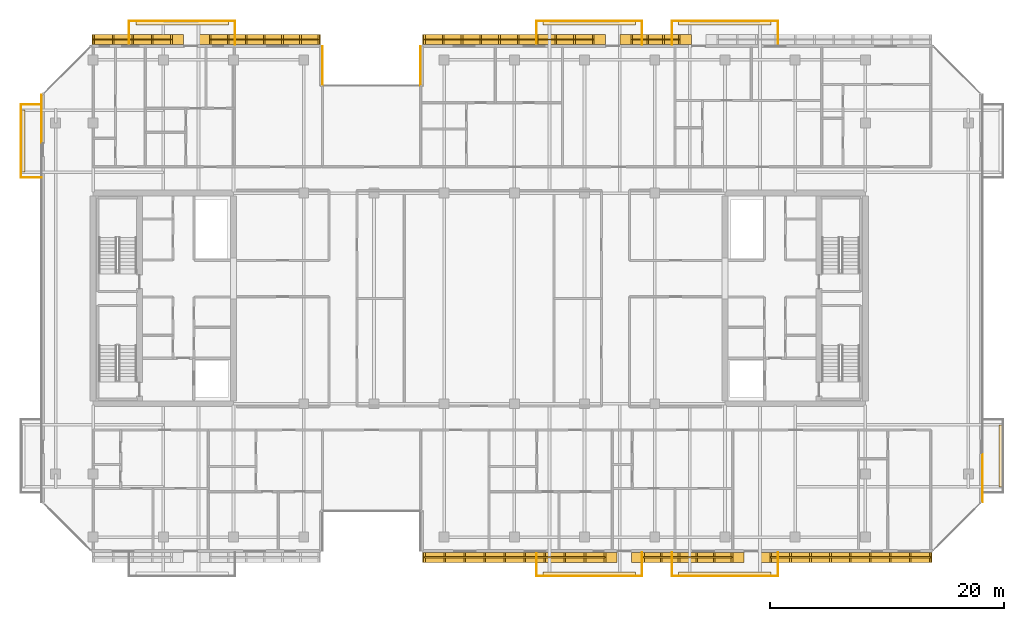
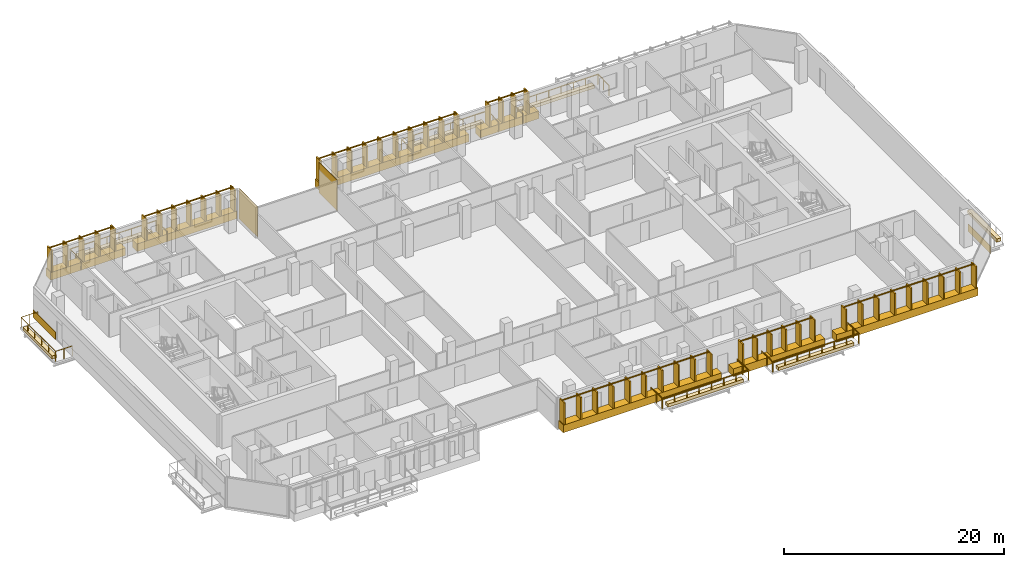
# One storey, part 28 of 30: 18 coverings, 13 railings.
"""IFC4 building model written with IfcOpenShell, lengths in metres."""

import ifcopenshell
import ifcopenshell.guid

model = None  # the IFC model being written
_history = None  # IfcOwnerHistory: only IFC2X3 demands one
_inside = {}  # id of a spatial element -> (the spatial element, [elements in it])
_under = {}  # id of a project, library or spatial element -> (it, [spatial elements below it])
_declared = {}  # id of a project -> (the project, [libraries it declares])
_typed = {}  # id of a type object -> (the type object, [elements of that type])
_made_of = {}  # id of a material, layer set ... -> (it, [elements and type objects made of it])


def new_model(schema):
    """Start an empty IFC model of exactly this schema.

    Asked for "IFC4X3", IfcOpenShell would pick the latest addendum, in which some entities
    have other attributes; the version numbers below select the first issue.
    IFC2X3 requires an IfcOwnerHistory on every rooted entity: one is made here for all.
    """
    global model, _history
    if schema == "IFC4X3":
        model = ifcopenshell.file(schema_version=(4, 3, 0, 0))
    else:
        model = ifcopenshell.file(schema=schema)
    _inside.clear()
    _under.clear()
    _declared.clear()
    _typed.clear()
    _made_of.clear()
    _history = None
    if model.schema == "IFC2X3":
        org = make("IfcOrganization", Name="unknown")
        user = make(
            "IfcPersonAndOrganization",
            ThePerson=make("IfcPerson", FamilyName="unknown"),
            TheOrganization=org,
        )
        app = make(
            "IfcApplication",
            ApplicationDeveloper=org,
            Version="unknown",
            ApplicationFullName="unknown",
            ApplicationIdentifier="unknown",
        )
        _history = make(
            "IfcOwnerHistory",
            OwningUser=user,
            OwningApplication=app,
            ChangeAction="ADDED",
            CreationDate=0,
        )
    return model


def make(cls, **values):
    """One entity of the class cls with the attributes given. An attribute that is None is left unset."""
    return model.create_entity(
        cls, **{name: value for name, value in values.items() if value is not None}
    )


def rooted(cls, **values):
    """An entity with a GlobalId (a new one), such as an element, a storey or a relation."""
    return make(cls, GlobalId=ifcopenshell.guid.new(), OwnerHistory=_history, **values)


def si_unit(unit_type, name, prefix=None):
    """IfcSIUnit, for example si_unit("LENGTHUNIT", "METRE", prefix="MILLI")."""
    return make("IfcSIUnit", UnitType=unit_type, Prefix=prefix, Name=name)


def assignment(units):
    """IfcUnitAssignment: the units of a project."""
    return None if units is None else make("IfcUnitAssignment", Units=units)


def point(xyz):
    """IfcCartesianPoint."""
    return None if xyz is None else make("IfcCartesianPoint", Coordinates=xyz)


def direction(xyz):
    """IfcDirection."""
    return None if xyz is None else make("IfcDirection", DirectionRatios=xyz)


def frame(location, z_axis=None, x_axis=None):
    """IfcAxis2Placement3D, a coordinate frame: its origin and axes. An axis left out is left unset."""
    return make(
        "IfcAxis2Placement3D",
        Location=point(location),
        Axis=direction(z_axis),
        RefDirection=direction(x_axis),
    )


def frame_2d(location, x_axis=None):
    """IfcAxis2Placement2D, a coordinate frame in the plane: its origin and x axis."""
    return make(
        "IfcAxis2Placement2D", Location=point(location), RefDirection=direction(x_axis)
    )


def origin():
    """The frame at (0, 0, 0) with its axes left unset."""
    return frame((0.0, 0.0, 0.0))


def origin_2d():
    """The frame at (0, 0) in the plane with its x axis left unset."""
    return frame_2d((0.0, 0.0))


def place(relative_to, where):
    """IfcLocalPlacement: puts the frame where relative to a parent placement (None: the world)."""
    return make(
        "IfcLocalPlacement", PlacementRelTo=relative_to, RelativePlacement=where
    )


def context(
    kind, dimensions, precision=None, world=None, true_north=None, identifier=None
):
    """IfcGeometricRepresentationContext, for example the 3D "Model" context."""
    return make(
        "IfcGeometricRepresentationContext",
        ContextIdentifier=identifier,
        ContextType=kind,
        CoordinateSpaceDimension=dimensions,
        Precision=precision,
        WorldCoordinateSystem=world,
        TrueNorth=true_north,
    )


def subcontext(parent, identifier, kind, view, scale=None):
    """IfcGeometricRepresentationSubContext, for example "Body" below "Model"."""
    return make(
        "IfcGeometricRepresentationSubContext",
        ContextIdentifier=identifier,
        ContextType=kind,
        ParentContext=parent,
        TargetScale=scale,
        TargetView=view,
    )


def project(units=None, contexts=None):
    """IfcProject with its units and contexts."""
    return rooted(
        "IfcProject",
        Name="project",
        RepresentationContexts=contexts,
        UnitsInContext=assignment(units),
    )


def spatial(cls, under=None, at=None, **own):
    """A site, building, storey or space (cls), placed at a placement, below another one or the project."""
    s = rooted(cls, ObjectPlacement=at, **own)
    if under is not None:
        _under.setdefault(under.id(), (under, []))[1].append(s)
    return s


def polyline(points):
    """IfcPolyline through the points."""
    return make("IfcPolyline", Points=[point(p) for p in points])


def profile(cls, at=None, kind="AREA", **sizes):
    """A parametric profile (cls). Its sizes go by their IFC names, for example OverallWidth=200.0."""
    return make(cls, ProfileType=kind, Position=at, **sizes)


def rectangle(**sizes):
    """IfcRectangleProfileDef."""
    return profile("IfcRectangleProfileDef", **sizes)


def outline(outer, holes=None, kind="AREA"):
    """IfcArbitraryClosedProfileDef: a profile drawn as a closed curve; with holes, ...WithVoids."""
    if holes is None:
        return make("IfcArbitraryClosedProfileDef", ProfileType=kind, OuterCurve=outer)
    return make(
        "IfcArbitraryProfileDefWithVoids",
        ProfileType=kind,
        OuterCurve=outer,
        InnerCurves=holes,
    )


def extrude(swept, where, along, depth):
    """IfcExtrudedAreaSolid: the profile swept, set in the frame where, extruded along a direction by depth."""
    return make(
        "IfcExtrudedAreaSolid",
        SweptArea=swept,
        Position=where,
        ExtrudedDirection=direction(along),
        Depth=depth,
    )


def shape(context_of_items, identifier, shape_type, items):
    """IfcShapeRepresentation: the items that make up one representation, for example the "Body"."""
    return make(
        "IfcShapeRepresentation",
        ContextOfItems=context_of_items,
        RepresentationIdentifier=identifier,
        RepresentationType=shape_type,
        Items=items,
    )


def material(Name=None, Category=None):
    """IfcMaterial."""
    return make("IfcMaterial", Name=Name, Category=Category)


def layer(
    of_material, thickness, ventilated=None, Name=None, Category=None, Priority=None
):
    """IfcMaterialLayer: one layer of a wall or slab, of a material (None: an air gap)."""
    return make(
        "IfcMaterialLayer",
        Material=of_material,
        LayerThickness=thickness,
        IsVentilated=ventilated,
        Name=Name,
        Category=Category,
        Priority=Priority,
    )


def layer_set(layers, Name=None):
    """IfcMaterialLayerSet."""
    return make("IfcMaterialLayerSet", MaterialLayers=layers, LayerSetName=Name)


def made_of(thing, what):
    """Note that an element or type object is made of a material, layer set ...; save() writes the relation."""
    if what is not None:
        _made_of.setdefault(what.id(), (what, []))[1].append(thing)
    return thing


def type_object(cls, material=None, **own):
    """A type object (cls), such as IfcWallType, which elements share."""
    return made_of(rooted(cls, **own), material)


def element(
    cls,
    number,
    at=None,
    inside=None,
    cuts=None,
    type_object=None,
    material=None,
    context=None,
    identifier="Body",
    shape_type=None,
    held_by="IfcProductDefinitionShape",
    body=None,
    shapes=None,
    **own,
):
    """One element of the class cls, such as IfcWall. Its Tag is "e" and its number.

    at: its placement. inside: the storey or other place that contains it. cuts: it is an
    opening in that element (IfcRelVoidsElement). A single representation is given by context,
    identifier, shape_type and body (its items); several are given by shapes. held_by: the class
    of the entity that holds the representations. save() writes the other relations.
    """
    e = rooted(cls, Tag="e%d" % number, ObjectPlacement=at, **own)
    if body is not None:
        shapes = [shape(context, identifier, shape_type, body)]
    if shapes is not None:
        e.Representation = make(held_by, Representations=shapes)
    if inside is not None:
        _inside.setdefault(inside.id(), (inside, []))[1].append(e)
    if cuts is not None:
        rooted(
            "IfcRelVoidsElement", RelatingBuildingElement=cuts, RelatedOpeningElement=e
        )
    if type_object is not None:
        _typed.setdefault(type_object.id(), (type_object, []))[1].append(e)
    return made_of(e, material)


def aggregate(whole, parts):
    """IfcRelAggregates: a whole, such as a stair, and the parts it consists of."""
    return rooted("IfcRelAggregates", RelatingObject=whole, RelatedObjects=parts)


def save(model, path):
    """Write the relations noted so far, then the file.

    IfcRelAggregates (storeys below a building ...), IfcRelContainedInSpatialStructure (elements
    in a storey), IfcRelDefinesByType, IfcRelAssociatesMaterial and IfcRelDeclares: one each for
    every whole, place, type object, material and project.
    """
    for whole, parts in _under.values():
        aggregate(whole, parts)
    for where, things in _inside.values():
        rooted(
            "IfcRelContainedInSpatialStructure",
            RelatedElements=things,
            RelatingStructure=where,
        )
    for kind, things in _typed.values():
        rooted("IfcRelDefinesByType", RelatedObjects=things, RelatingType=kind)
    for what, things in _made_of.values():
        rooted("IfcRelAssociatesMaterial", RelatedObjects=things, RelatingMaterial=what)
    for by, libraries in _declared.values():
        rooted("IfcRelDeclares", RelatingContext=by, RelatedDefinitions=libraries)
    model.write(path)


model = new_model("IFC4")

# Units and contexts
model_context = context("Model", 3, precision=1e-05, world=origin(), true_north=direction((0.0, 1.0)))
body_context = subcontext(model_context, "Body", "Model", "MODEL_VIEW")
ifc_project = project(units=[si_unit("LENGTHUNIT", "METRE"), si_unit("AREAUNIT", "SQUARE_METRE"), si_unit("VOLUMEUNIT", "CUBIC_METRE"), si_unit("PLANEANGLEUNIT", "RADIAN"), si_unit("MASSUNIT", "GRAM", prefix="KILO")], contexts=[model_context])

# Site, building, storey
site_placement = place(None, origin())
site = spatial("IfcSite", under=ifc_project, at=site_placement, CompositionType="ELEMENT")
building_placement = place(site_placement, origin())
building = spatial("IfcBuilding", under=site, at=building_placement, Name="Tanjung Sevakor Pilgrim Tower", CompositionType="ELEMENT")
storey_placement = place(building_placement, frame((0.0, 0.0, 165.659912109375)))
storey = spatial("IfcBuildingStorey", under=building, at=storey_placement, Name="L46", CompositionType="ELEMENT", Elevation=165.659912109375)

# Coverings
ifc_material_1 = material(Name="Reconstructed Limestone Cladding", Category="masonry")
ifc_layer_1 = layer(ifc_material_1, 0.044921875)
ifc_layer_set_1 = layer_set([ifc_layer_1], Name="COV-CLAD-LIMESTONE")
covering_type_1 = type_object("IfcCoveringType", Name="COV-CLAD-LIMESTONE", PredefinedType="CLADDING", material=ifc_layer_set_1)
covering_1_placement = place(storey_placement, frame((60.4775390625, 11.469970703125, 0.01025390625), z_axis=(0.0, 0.0, 1.0), x_axis=(1.0, 0.0, 0.0)))
element("IfcCovering", 1, at=covering_1_placement, inside=storey, type_object=covering_type_1, Name="L46 Warm Limestone Sill Spandrel EW-L46-MAIN-5-1", PredefinedType="CLADDING", context=body_context, shape_type="SweptSolid", body=[
    extrude(rectangle(XDim=16.625, YDim=0.860107421875, at=origin_2d()), origin(), (0.0, 0.0, 1.0), 0.840087890625),
])
covering_2_placement = place(storey_placement, frame((74.824951171875, 11.469970703125, 0.01025390625), z_axis=(0.0, 0.0, 1.0), x_axis=(1.0, 0.0, 0.0)))
element("IfcCovering", 2, at=covering_2_placement, inside=storey, type_object=covering_type_1, Name="L46 Warm Limestone Sill Spandrel EW-L46-MAIN-5-2", PredefinedType="CLADDING", context=body_context, shape_type="SweptSolid", body=[
    extrude(rectangle(XDim=9.6298828125, YDim=0.860107421875, at=origin_2d()), origin(), (0.0, 0.0, 1.0), 0.840087890625),
])
covering_3_placement = place(storey_placement, frame((88.2841796875, 11.469970703125, 0.01025390625), z_axis=(0.0, 0.0, 1.0), x_axis=(1.0, 0.0, 0.0)))
element("IfcCovering", 3, at=covering_3_placement, inside=storey, type_object=covering_type_1, Name="L46 Warm Limestone Sill Spandrel EW-L46-MAIN-5-3", PredefinedType="CLADDING", context=body_context, shape_type="SweptSolid", body=[
    extrude(rectangle(XDim=14.84814453125, YDim=0.860107421875, at=origin_2d()), origin(), (0.0, 0.0, 1.0), 0.840087890625),
])
covering_4_placement = place(storey_placement, frame((100.0224609375, 18.240966796875, 0.01025390625), z_axis=(0.0, 0.0, 1.0), x_axis=(0.0, 1.0, 0.0)))
element("IfcCovering", 4, at=covering_4_placement, inside=storey, type_object=covering_type_1, Name="L46 Warm Limestone Sill Spandrel EW-L46-MAIN-7-1", PredefinedType="CLADDING", context=body_context, shape_type="SweptSolid", body=[
    extrude(rectangle(XDim=4.09814453125, YDim=0.044921875, at=origin_2d()), origin(), (0.0, 0.0, 1.0), 0.840087890625),
])
covering_5_placement = place(storey_placement, frame((72.074951171875, 55.72998046875, 0.01025390625), z_axis=(0.0, 0.0, 1.0), x_axis=(-1.0, 0.0, 0.0)))
element("IfcCovering", 5, at=covering_5_placement, inside=storey, type_object=covering_type_1, Name="L46 Warm Limestone Sill Spandrel EW-L46-MAIN-9-2", PredefinedType="CLADDING", context=body_context, shape_type="SweptSolid", body=[
    extrude(rectangle(XDim=6.1298828125, YDim=0.860107421875, at=origin_2d()), origin(), (0.0, 0.0, 1.0), 0.840087890625),
])
covering_6_placement = place(storey_placement, frame((59.9775390625, 55.72998046875, 0.01025390625), z_axis=(0.0, 0.0, 1.0), x_axis=(-1.0, 0.0, 0.0)))
element("IfcCovering", 6, at=covering_6_placement, inside=storey, type_object=covering_type_1, Name="L46 Warm Limestone Sill Spandrel EW-L46-MAIN-9-3", PredefinedType="CLADDING", context=body_context, shape_type="SweptSolid", body=[
    extrude(rectangle(XDim=15.625, YDim=0.860107421875, at=origin_2d()), origin(), (0.0, 0.0, 1.0), 0.840087890625),
])
for number, where, z_axis, x_axis, name in (
    (7, (51.9775390625, 53.47509765625, 0.02001953125), (0.0, 0.0, 1.0), (0.0, -1.0, 0.0), "L46 Warm Limestone Wall Cladding EW-L46-MAIN-10"),
    (8, (43.62255859375, 53.47509765625, 0.02001953125), (0.0, 0.0, 1.0), (0.0, 1.0, 0.0), "L46 Warm Limestone Wall Cladding EW-L46-MAIN-12"),
):
    element("IfcCovering", number, at=place(storey_placement, frame(where, z_axis=z_axis, x_axis=x_axis)), inside=storey, type_object=covering_type_1, Name=name, PredefinedType="CLADDING", context=body_context, shape_type="SweptSolid", body=[
        extrude(rectangle(XDim=3.360107421875, YDim=0.044921875, at=origin_2d()), origin(), (0.0, 0.0, 1.0), 3.3701171875),
    ])
covering_7_placement = place(storey_placement, frame((38.197509765625, 55.72998046875, 0.01025390625), z_axis=(0.0, 0.0, 1.0), x_axis=(-1.0, 0.0, 0.0)))
element("IfcCovering", 9, at=covering_7_placement, inside=storey, type_object=covering_type_1, Name="L46 Warm Limestone Sill Spandrel EW-L46-MAIN-13-1", PredefinedType="CLADDING", context=body_context, shape_type="SweptSolid", body=[
    extrude(rectangle(XDim=10.47509765625, YDim=0.860107421875, at=origin_2d()), origin(), (0.0, 0.0, 1.0), 0.840087890625),
])
covering_8_placement = place(storey_placement, frame((27.81591796875, 55.72998046875, 0.01025390625), z_axis=(0.0, 0.0, 1.0), x_axis=(-1.0, 0.0, 0.0)))
element("IfcCovering", 10, at=covering_8_placement, inside=storey, type_object=covering_type_1, Name="L46 Warm Limestone Sill Spandrel EW-L46-MAIN-13-2", PredefinedType="CLADDING", context=body_context, shape_type="SweptSolid", body=[
    extrude(rectangle(XDim=7.84814453125, YDim=0.860107421875, at=origin_2d()), origin(), (0.0, 0.0, 1.0), 0.840087890625),
])
covering_9_placement = place(storey_placement, frame((19.577392578125, 48.958984375, 0.01025390625), z_axis=(0.0, 0.0, 1.0), x_axis=(0.0, -1.0, 0.0)))
element("IfcCovering", 11, at=covering_9_placement, inside=storey, type_object=covering_type_1, Name="L46 Warm Limestone Sill Spandrel EW-L46-MAIN-15-1", PredefinedType="CLADDING", context=body_context, shape_type="SweptSolid", body=[
    extrude(rectangle(XDim=4.09814453125, YDim=0.044921875, at=origin_2d()), origin(), (0.0, 0.0, 1.0), 0.840087890625),
])
ifc_material_2 = material(Name="Vegetated Modular Planter Assembly", Category="organic")
ifc_layer_2 = layer(ifc_material_2, 0.35009765625)
ifc_layer_set_2 = layer_set([ifc_layer_2], Name="COV-GRN-TROUGH")
covering_type_2 = type_object("IfcCoveringType", Name="COV-GRN-TROUGH", PredefinedType="CLADDING", material=ifc_layer_set_2)
covering_10_placement = place(storey_placement, origin())
element("IfcCovering", 12, at=covering_10_placement, inside=storey, type_object=covering_type_2, Name="L46 Planted Landscape Hedge Trough BGRN-L46-MAIN-N1", PredefinedType="CLADDING", context=body_context, shape_type="SweptSolid", body=[
    extrude(outline(polyline([(27.64990234375, 56.9599609375), (35.550048828125, 56.9599609375), (35.550048828125, 57.39990234375), (27.64990234375, 57.39990234375), (27.64990234375, 56.9599609375)])), origin(), (0.0, 0.0, 1.0), 0.35009765625),
])
covering_11_placement = place(storey_placement, origin())
element("IfcCovering", 13, at=covering_11_placement, inside=storey, type_object=covering_type_2, Name="L46 Planted Landscape Hedge Trough BGRN-L46-MAIN-S2", PredefinedType="CLADDING", context=body_context, shape_type="SweptSolid", body=[
    extrude(outline(polyline([(62.449951171875, 9.800048828125), (70.35009765625, 9.800048828125), (70.35009765625, 10.239990234375), (62.449951171875, 10.239990234375), (62.449951171875, 9.800048828125)])), origin(), (0.0, 0.0, 1.0), 0.35009765625),
])
covering_12_placement = place(storey_placement, origin())
element("IfcCovering", 14, at=covering_12_placement, inside=storey, type_object=covering_type_2, Name="L46 Planted Landscape Hedge Trough BGRN-L46-MAIN-N2", PredefinedType="CLADDING", context=body_context, shape_type="SweptSolid", body=[
    extrude(outline(polyline([(62.449951171875, 56.9599609375), (70.35009765625, 56.9599609375), (70.35009765625, 57.39990234375), (62.449951171875, 57.39990234375), (62.449951171875, 56.9599609375)])), origin(), (0.0, 0.0, 1.0), 0.35009765625),
])
covering_13_placement = place(storey_placement, origin())
element("IfcCovering", 15, at=covering_13_placement, inside=storey, type_object=covering_type_2, Name="L46 Planted Landscape Hedge Trough BGRN-L46-MAIN-S3", PredefinedType="CLADDING", context=body_context, shape_type="SweptSolid", body=[
    extrude(outline(polyline([(74.050048828125, 9.800048828125), (81.949951171875, 9.800048828125), (81.949951171875, 10.239990234375), (74.050048828125, 10.239990234375), (74.050048828125, 9.800048828125)])), origin(), (0.0, 0.0, 1.0), 0.35009765625),
])
covering_14_placement = place(storey_placement, origin())
element("IfcCovering", 16, at=covering_14_placement, inside=storey, type_object=covering_type_2, Name="L46 Planted Landscape Hedge Trough BGRN-L46-MAIN-N3", PredefinedType="CLADDING", context=body_context, shape_type="SweptSolid", body=[
    extrude(outline(polyline([(74.050048828125, 56.9599609375), (81.949951171875, 56.9599609375), (81.949951171875, 57.39990234375), (74.050048828125, 57.39990234375), (74.050048828125, 56.9599609375)])), origin(), (0.0, 0.0, 1.0), 0.35009765625),
])
covering_15_placement = place(storey_placement, origin())
element("IfcCovering", 17, at=covering_15_placement, inside=storey, type_object=covering_type_2, Name="L46 Planted Landscape Hedge Trough BGRN-L46-MAIN-E1", PredefinedType="CLADDING", context=body_context, shape_type="SweptSolid", body=[
    extrude(outline(polyline([(101.85009765625, 17.5), (101.85009765625, 22.800048828125), (101.409912109375, 22.800048828125), (101.409912109375, 17.5), (101.85009765625, 17.5)])), origin(), (0.0, 0.0, 1.0), 0.35009765625),
])
covering_16_placement = place(storey_placement, origin())
element("IfcCovering", 18, at=covering_16_placement, inside=storey, type_object=covering_type_2, Name="L46 Planted Landscape Hedge Trough BGRN-L46-MAIN-W2", PredefinedType="CLADDING", context=body_context, shape_type="SweptSolid", body=[
    extrude(outline(polyline([(18.18994140625, 44.39990234375), (18.18994140625, 49.699951171875), (17.75, 49.699951171875), (17.75, 44.39990234375), (18.18994140625, 44.39990234375)])), origin(), (0.0, 0.0, 1.0), 0.35009765625),
])

# Railings
ifc_material_3 = material(Name="Laminated Glass and Aluminium", Category="aluminium")
railing_type_1 = type_object("IfcRailingType", Name="RL-BAL-BALUST", PredefinedType="BALUSTRADE", material=ifc_material_3)
railing_1_placement = place(storey_placement, frame((27.080078125, 55.300048828125, 0.0)))
element("IfcRailing", 19, at=railing_1_placement, inside=storey, type_object=railing_type_1, Name="L46 Loggia Balustrade MAIN-N1", PredefinedType="BALUSTRADE", context=body_context, shape_type="SweptSolid", body=[
    extrude(rectangle(XDim=0.0479, YDim=0.0479), frame((0.0, 0.0, 1.1259765625), z_axis=(0.0, 1.0, 0.0), x_axis=(-1.0, 0.0, 0.0)), (0.0, 0.0, 1.0), 2.02001953125),
    extrude(rectangle(XDim=0.0479, YDim=0.0479), frame((0.0, 2.02001953125, 1.1259765625), z_axis=(1.0, 0.0, 0.0), x_axis=(0.0, 1.0, 0.0)), (0.0, 0.0, 1.0), 9.0400390625),
    extrude(rectangle(XDim=0.0479, YDim=0.0479), frame((9.0400390625, 2.02001953125, 1.1259765625), z_axis=(0.0, -1.0, 0.0), x_axis=(1.0, 0.0, 0.0)), (0.0, 0.0, 1.0), 2.02001953125),
    extrude(rectangle(XDim=0.042, YDim=0.042), origin(), (0.0, 0.0, 1.0), 1.101806640625),
    extrude(rectangle(XDim=0.042, YDim=0.042), frame((0.0, 1.010009765625, 0.0)), (0.0, 0.0, 1.0), 1.101806640625),
    extrude(rectangle(XDim=0.042, YDim=0.042), frame((0.0, 2.02001953125, 0.0)), (0.0, 0.0, 1.0), 1.101806640625),
    extrude(rectangle(XDim=0.042, YDim=0.042), frame((1.29150390625, 2.02001953125, 0.0)), (0.0, 0.0, 1.0), 1.101806640625),
    extrude(rectangle(XDim=0.042, YDim=0.042), frame((2.582763671875, 2.02001953125, 0.0)), (0.0, 0.0, 1.0), 1.101806640625),
    extrude(rectangle(XDim=0.042, YDim=0.042), frame((3.874267578125, 2.02001953125, 0.0)), (0.0, 0.0, 1.0), 1.101806640625),
    extrude(rectangle(XDim=0.042, YDim=0.042), frame((5.165771484375, 2.02001953125, 0.0)), (0.0, 0.0, 1.0), 1.101806640625),
    extrude(rectangle(XDim=0.042, YDim=0.042), frame((6.457275390625, 2.02001953125, 0.0)), (0.0, 0.0, 1.0), 1.101806640625),
    extrude(rectangle(XDim=0.042, YDim=0.042), frame((7.74853515625, 2.02001953125, 0.0)), (0.0, 0.0, 1.0), 1.101806640625),
    extrude(rectangle(XDim=0.042, YDim=0.042), frame((9.0400390625, 2.02001953125, 0.0)), (0.0, 0.0, 1.0), 1.101806640625),
    extrude(rectangle(XDim=0.042, YDim=0.042), frame((9.0400390625, 1.010009765625, 0.0)), (0.0, 0.0, 1.0), 1.101806640625),
    extrude(rectangle(XDim=0.042, YDim=0.042), frame((9.0400390625, 0.0, 0.0)), (0.0, 0.0, 1.0), 1.101806640625),
])
railing_2_placement = place(storey_placement, frame((61.8798828125, 11.89990234375, 0.0)))
element("IfcRailing", 20, at=railing_2_placement, inside=storey, type_object=railing_type_1, Name="L46 Loggia Balustrade MAIN-S2", PredefinedType="BALUSTRADE", context=body_context, shape_type="SweptSolid", body=[
    extrude(rectangle(XDim=0.0479, YDim=0.0479), frame((0.0, 0.0, 1.1259765625), z_axis=(0.0, -1.0, 0.0), x_axis=(1.0, 0.0, 0.0)), (0.0, 0.0, 1.0), 2.02001953125),
    extrude(rectangle(XDim=0.0479, YDim=0.0479), frame((0.0, -2.02001953125, 1.1259765625), z_axis=(1.0, 0.0, 0.0), x_axis=(0.0, 1.0, 0.0)), (0.0, 0.0, 1.0), 9.0400390625),
    extrude(rectangle(XDim=0.0479, YDim=0.0479), frame((9.0400390625, -2.02001953125, 1.1259765625), z_axis=(0.0, 1.0, 0.0), x_axis=(-1.0, 0.0, 0.0)), (0.0, 0.0, 1.0), 2.02001953125),
    extrude(rectangle(XDim=0.042, YDim=0.042), origin(), (0.0, 0.0, 1.0), 1.101806640625),
    extrude(rectangle(XDim=0.042, YDim=0.042), frame((0.0, -1.010009765625, 0.0)), (0.0, 0.0, 1.0), 1.101806640625),
    extrude(rectangle(XDim=0.042, YDim=0.042), frame((0.0, -2.02001953125, 0.0)), (0.0, 0.0, 1.0), 1.101806640625),
    extrude(rectangle(XDim=0.042, YDim=0.042), frame((1.29150390625, -2.02001953125, 0.0)), (0.0, 0.0, 1.0), 1.101806640625),
    extrude(rectangle(XDim=0.042, YDim=0.042), frame((2.582763671875, -2.02001953125, 0.0)), (0.0, 0.0, 1.0), 1.101806640625),
    extrude(rectangle(XDim=0.042, YDim=0.042), frame((3.874267578125, -2.02001953125, 0.0)), (0.0, 0.0, 1.0), 1.101806640625),
    extrude(rectangle(XDim=0.042, YDim=0.042), frame((5.165771484375, -2.02001953125, 0.0)), (0.0, 0.0, 1.0), 1.101806640625),
    extrude(rectangle(XDim=0.042, YDim=0.042), frame((6.457275390625, -2.02001953125, 0.0)), (0.0, 0.0, 1.0), 1.101806640625),
    extrude(rectangle(XDim=0.042, YDim=0.042), frame((7.74853515625, -2.02001953125, 0.0)), (0.0, 0.0, 1.0), 1.101806640625),
    extrude(rectangle(XDim=0.042, YDim=0.042), frame((9.0400390625, -2.02001953125, 0.0)), (0.0, 0.0, 1.0), 1.101806640625),
    extrude(rectangle(XDim=0.042, YDim=0.042), frame((9.0400390625, -1.010009765625, 0.0)), (0.0, 0.0, 1.0), 1.101806640625),
    extrude(rectangle(XDim=0.042, YDim=0.042), frame((9.0400390625, 0.0, 0.0)), (0.0, 0.0, 1.0), 1.101806640625),
])
railing_3_placement = place(storey_placement, frame((61.8798828125, 55.300048828125, 0.0)))
element("IfcRailing", 21, at=railing_3_placement, inside=storey, type_object=railing_type_1, Name="L46 Loggia Balustrade MAIN-N2", PredefinedType="BALUSTRADE", context=body_context, shape_type="SweptSolid", body=[
    extrude(rectangle(XDim=0.0479, YDim=0.0479), frame((0.0, 0.0, 1.1259765625), z_axis=(0.0, 1.0, 0.0), x_axis=(-1.0, 0.0, 0.0)), (0.0, 0.0, 1.0), 2.02001953125),
    extrude(rectangle(XDim=0.0479, YDim=0.0479), frame((0.0, 2.02001953125, 1.1259765625), z_axis=(1.0, 0.0, 0.0), x_axis=(0.0, 1.0, 0.0)), (0.0, 0.0, 1.0), 9.0400390625),
    extrude(rectangle(XDim=0.0479, YDim=0.0479), frame((9.0400390625, 2.02001953125, 1.1259765625), z_axis=(0.0, -1.0, 0.0), x_axis=(1.0, 0.0, 0.0)), (0.0, 0.0, 1.0), 2.02001953125),
    extrude(rectangle(XDim=0.042, YDim=0.042), origin(), (0.0, 0.0, 1.0), 1.101806640625),
    extrude(rectangle(XDim=0.042, YDim=0.042), frame((0.0, 1.010009765625, 0.0)), (0.0, 0.0, 1.0), 1.101806640625),
    extrude(rectangle(XDim=0.042, YDim=0.042), frame((0.0, 2.02001953125, 0.0)), (0.0, 0.0, 1.0), 1.101806640625),
    extrude(rectangle(XDim=0.042, YDim=0.042), frame((1.29150390625, 2.02001953125, 0.0)), (0.0, 0.0, 1.0), 1.101806640625),
    extrude(rectangle(XDim=0.042, YDim=0.042), frame((2.582763671875, 2.02001953125, 0.0)), (0.0, 0.0, 1.0), 1.101806640625),
    extrude(rectangle(XDim=0.042, YDim=0.042), frame((3.874267578125, 2.02001953125, 0.0)), (0.0, 0.0, 1.0), 1.101806640625),
    extrude(rectangle(XDim=0.042, YDim=0.042), frame((5.165771484375, 2.02001953125, 0.0)), (0.0, 0.0, 1.0), 1.101806640625),
    extrude(rectangle(XDim=0.042, YDim=0.042), frame((6.457275390625, 2.02001953125, 0.0)), (0.0, 0.0, 1.0), 1.101806640625),
    extrude(rectangle(XDim=0.042, YDim=0.042), frame((7.74853515625, 2.02001953125, 0.0)), (0.0, 0.0, 1.0), 1.101806640625),
    extrude(rectangle(XDim=0.042, YDim=0.042), frame((9.0400390625, 2.02001953125, 0.0)), (0.0, 0.0, 1.0), 1.101806640625),
    extrude(rectangle(XDim=0.042, YDim=0.042), frame((9.0400390625, 1.010009765625, 0.0)), (0.0, 0.0, 1.0), 1.101806640625),
    extrude(rectangle(XDim=0.042, YDim=0.042), frame((9.0400390625, 0.0, 0.0)), (0.0, 0.0, 1.0), 1.101806640625),
])
railing_4_placement = place(storey_placement, frame((73.47998046875, 11.89990234375, 0.0)))
element("IfcRailing", 22, at=railing_4_placement, inside=storey, type_object=railing_type_1, Name="L46 Loggia Balustrade MAIN-S3", PredefinedType="BALUSTRADE", context=body_context, shape_type="SweptSolid", body=[
    extrude(rectangle(XDim=0.0479, YDim=0.0479), frame((0.0, 0.0, 1.1259765625), z_axis=(0.0, -1.0, 0.0), x_axis=(1.0, 0.0, 0.0)), (0.0, 0.0, 1.0), 2.02001953125),
    extrude(rectangle(XDim=0.0479, YDim=0.0479), frame((0.0, -2.02001953125, 1.1259765625), z_axis=(1.0, 0.0, 0.0), x_axis=(0.0, 1.0, 0.0)), (0.0, 0.0, 1.0), 9.0400390625),
    extrude(rectangle(XDim=0.0479, YDim=0.0479), frame((9.0400390625, -2.02001953125, 1.1259765625), z_axis=(0.0, 1.0, 0.0), x_axis=(-1.0, 0.0, 0.0)), (0.0, 0.0, 1.0), 2.02001953125),
    extrude(rectangle(XDim=0.042, YDim=0.042), origin(), (0.0, 0.0, 1.0), 1.101806640625),
    extrude(rectangle(XDim=0.042, YDim=0.042), frame((0.0, -1.010009765625, 0.0)), (0.0, 0.0, 1.0), 1.101806640625),
    extrude(rectangle(XDim=0.042, YDim=0.042), frame((0.0, -2.02001953125, 0.0)), (0.0, 0.0, 1.0), 1.101806640625),
    extrude(rectangle(XDim=0.042, YDim=0.042), frame((1.29150390625, -2.02001953125, 0.0)), (0.0, 0.0, 1.0), 1.101806640625),
    extrude(rectangle(XDim=0.042, YDim=0.042), frame((2.582763671875, -2.02001953125, 0.0)), (0.0, 0.0, 1.0), 1.101806640625),
    extrude(rectangle(XDim=0.042, YDim=0.042), frame((3.874267578125, -2.02001953125, 0.0)), (0.0, 0.0, 1.0), 1.101806640625),
    extrude(rectangle(XDim=0.042, YDim=0.042), frame((5.165771484375, -2.02001953125, 0.0)), (0.0, 0.0, 1.0), 1.101806640625),
    extrude(rectangle(XDim=0.042, YDim=0.042), frame((6.457275390625, -2.02001953125, 0.0)), (0.0, 0.0, 1.0), 1.101806640625),
    extrude(rectangle(XDim=0.042, YDim=0.042), frame((7.74853515625, -2.02001953125, 0.0)), (0.0, 0.0, 1.0), 1.101806640625),
    extrude(rectangle(XDim=0.042, YDim=0.042), frame((9.0400390625, -2.02001953125, 0.0)), (0.0, 0.0, 1.0), 1.101806640625),
    extrude(rectangle(XDim=0.042, YDim=0.042), frame((9.0400390625, -1.010009765625, 0.0)), (0.0, 0.0, 1.0), 1.101806640625),
    extrude(rectangle(XDim=0.042, YDim=0.042), frame((9.0400390625, 0.0, 0.0)), (0.0, 0.0, 1.0), 1.101806640625),
])
railing_5_placement = place(storey_placement, frame((73.47998046875, 55.300048828125, 0.0)))
element("IfcRailing", 23, at=railing_5_placement, inside=storey, type_object=railing_type_1, Name="L46 Loggia Balustrade MAIN-N3", PredefinedType="BALUSTRADE", context=body_context, shape_type="SweptSolid", body=[
    extrude(rectangle(XDim=0.0479, YDim=0.0479), frame((0.0, 0.0, 1.1259765625), z_axis=(0.0, 1.0, 0.0), x_axis=(-1.0, 0.0, 0.0)), (0.0, 0.0, 1.0), 2.02001953125),
    extrude(rectangle(XDim=0.0479, YDim=0.0479), frame((0.0, 2.02001953125, 1.1259765625), z_axis=(1.0, 0.0, 0.0), x_axis=(0.0, 1.0, 0.0)), (0.0, 0.0, 1.0), 9.0400390625),
    extrude(rectangle(XDim=0.0479, YDim=0.0479), frame((9.0400390625, 2.02001953125, 1.1259765625), z_axis=(0.0, -1.0, 0.0), x_axis=(1.0, 0.0, 0.0)), (0.0, 0.0, 1.0), 2.02001953125),
    extrude(rectangle(XDim=0.042, YDim=0.042), origin(), (0.0, 0.0, 1.0), 1.101806640625),
    extrude(rectangle(XDim=0.042, YDim=0.042), frame((0.0, 1.010009765625, 0.0)), (0.0, 0.0, 1.0), 1.101806640625),
    extrude(rectangle(XDim=0.042, YDim=0.042), frame((0.0, 2.02001953125, 0.0)), (0.0, 0.0, 1.0), 1.101806640625),
    extrude(rectangle(XDim=0.042, YDim=0.042), frame((1.29150390625, 2.02001953125, 0.0)), (0.0, 0.0, 1.0), 1.101806640625),
    extrude(rectangle(XDim=0.042, YDim=0.042), frame((2.582763671875, 2.02001953125, 0.0)), (0.0, 0.0, 1.0), 1.101806640625),
    extrude(rectangle(XDim=0.042, YDim=0.042), frame((3.874267578125, 2.02001953125, 0.0)), (0.0, 0.0, 1.0), 1.101806640625),
    extrude(rectangle(XDim=0.042, YDim=0.042), frame((5.165771484375, 2.02001953125, 0.0)), (0.0, 0.0, 1.0), 1.101806640625),
    extrude(rectangle(XDim=0.042, YDim=0.042), frame((6.457275390625, 2.02001953125, 0.0)), (0.0, 0.0, 1.0), 1.101806640625),
    extrude(rectangle(XDim=0.042, YDim=0.042), frame((7.74853515625, 2.02001953125, 0.0)), (0.0, 0.0, 1.0), 1.101806640625),
    extrude(rectangle(XDim=0.042, YDim=0.042), frame((9.0400390625, 2.02001953125, 0.0)), (0.0, 0.0, 1.0), 1.101806640625),
    extrude(rectangle(XDim=0.042, YDim=0.042), frame((9.0400390625, 1.010009765625, 0.0)), (0.0, 0.0, 1.0), 1.101806640625),
    extrude(rectangle(XDim=0.042, YDim=0.042), frame((9.0400390625, 0.0, 0.0)), (0.0, 0.0, 1.0), 1.101806640625),
])
railing_6_placement = place(storey_placement, frame((19.60009765625, 43.929931640625, 0.0)))
element("IfcRailing", 24, at=railing_6_placement, inside=storey, type_object=railing_type_1, Name="L46 Loggia Balustrade MAIN-W2", PredefinedType="BALUSTRADE", context=body_context, shape_type="SweptSolid", body=[
    extrude(rectangle(XDim=0.0479, YDim=0.0479), frame((0.0, 0.0, 1.1259765625), z_axis=(-1.0, 0.0, 0.0), x_axis=(0.0, -1.0, 0.0)), (0.0, 0.0, 1.0), 1.77001953125),
    extrude(rectangle(XDim=0.0479, YDim=0.0479), frame((-1.77001953125, 0.0, 1.1259765625), z_axis=(0.0, 1.0, 0.0), x_axis=(-1.0, 0.0, 0.0)), (0.0, 0.0, 1.0), 6.239990234375),
    extrude(rectangle(XDim=0.0479, YDim=0.0479), frame((-1.77001953125, 6.239990234375, 1.1259765625), z_axis=(1.0, 0.0, 0.0), x_axis=(0.0, 1.0, 0.0)), (0.0, 0.0, 1.0), 1.77001953125),
    extrude(rectangle(XDim=0.042, YDim=0.042), origin(), (0.0, 0.0, 1.0), 1.101806640625),
    extrude(rectangle(XDim=0.042, YDim=0.042), frame((-0.885009765625, 0.0, 0.0)), (0.0, 0.0, 1.0), 1.101806640625),
    extrude(rectangle(XDim=0.042, YDim=0.042), frame((-1.77001953125, 0.0, 0.0)), (0.0, 0.0, 1.0), 1.101806640625),
    extrude(rectangle(XDim=0.042, YDim=0.042), frame((-1.77001953125, 1.248046875, 0.0)), (0.0, 0.0, 1.0), 1.101806640625),
    extrude(rectangle(XDim=0.042, YDim=0.042), frame((-1.77001953125, 2.49609375, 0.0)), (0.0, 0.0, 1.0), 1.101806640625),
    extrude(rectangle(XDim=0.042, YDim=0.042), frame((-1.77001953125, 3.743896484375, 0.0)), (0.0, 0.0, 1.0), 1.101806640625),
    extrude(rectangle(XDim=0.042, YDim=0.042), frame((-1.77001953125, 4.991943359375, 0.0)), (0.0, 0.0, 1.0), 1.101806640625),
    extrude(rectangle(XDim=0.042, YDim=0.042), frame((-1.77001953125, 6.239990234375, 0.0)), (0.0, 0.0, 1.0), 1.101806640625),
    extrude(rectangle(XDim=0.042, YDim=0.042), frame((-0.885009765625, 6.239990234375, 0.0)), (0.0, 0.0, 1.0), 1.101806640625),
    extrude(rectangle(XDim=0.042, YDim=0.042), frame((0.0, 6.239990234375, 0.0)), (0.0, 0.0, 1.0), 1.101806640625),
])
ifc_material_4 = material(Name="Anodised Bronze Aluminium 6063-T6", Category="aluminium")
railing_type_2 = type_object("IfcRailingType", Name="RL-FIN-SCREEN", PredefinedType="BALUSTRADE", material=ifc_material_4)
railing_7_placement = place(storey_placement, frame((52.324951171875, 11.47509765625, 0.840087890625)))
element("IfcRailing", 25, at=railing_7_placement, inside=storey, type_object=railing_type_2, Name="L46 Vertical Bronze-Gold Solar Fin Screen FNSCR-EW-L46-MAIN-5-1", PredefinedType="BALUSTRADE", context=body_context, shape_type="SweptSolid", body=[
    extrude(rectangle(XDim=0.105, YDim=0.105), frame((0.0, 0.0, 2.487548828125), z_axis=(1.0, 0.0, 0.0), x_axis=(0.0, 1.0, 0.0)), (0.0, 0.0, 1.0), 15.425048828125),
    extrude(rectangle(XDim=0.14, YDim=0.85), origin(), (0.0, 0.0, 1.0), 2.43505859375),
    extrude(rectangle(XDim=0.14, YDim=0.85), frame((1.7138671875, 0.0, 0.0)), (0.0, 0.0, 1.0), 2.43505859375),
    extrude(rectangle(XDim=0.14, YDim=0.85), frame((3.427734375, 0.0, 0.0)), (0.0, 0.0, 1.0), 2.43505859375),
    extrude(rectangle(XDim=0.14, YDim=0.85), frame((5.1416015625, 0.0, 0.0)), (0.0, 0.0, 1.0), 2.43505859375),
    extrude(rectangle(XDim=0.14, YDim=0.85), frame((6.85546875, 0.0, 0.0)), (0.0, 0.0, 1.0), 2.43505859375),
    extrude(rectangle(XDim=0.14, YDim=0.85), frame((8.569580078125, 0.0, 0.0)), (0.0, 0.0, 1.0), 2.43505859375),
    extrude(rectangle(XDim=0.14, YDim=0.85), frame((10.283447265625, 0.0, 0.0)), (0.0, 0.0, 1.0), 2.43505859375),
    extrude(rectangle(XDim=0.14, YDim=0.85), frame((11.997314453125, 0.0, 0.0)), (0.0, 0.0, 1.0), 2.43505859375),
    extrude(rectangle(XDim=0.14, YDim=0.85), frame((13.711181640625, 0.0, 0.0)), (0.0, 0.0, 1.0), 2.43505859375),
    extrude(rectangle(XDim=0.14, YDim=0.85), frame((15.425048828125, 0.0, 0.0)), (0.0, 0.0, 1.0), 2.43505859375),
])
railing_8_placement = place(storey_placement, frame((71.050048828125, 11.47509765625, 0.840087890625)))
element("IfcRailing", 26, at=railing_8_placement, inside=storey, type_object=railing_type_2, Name="L46 Vertical Bronze-Gold Solar Fin Screen FNSCR-EW-L46-MAIN-5-2", PredefinedType="BALUSTRADE", context=body_context, shape_type="SweptSolid", body=[
    extrude(rectangle(XDim=0.105, YDim=0.105), frame((0.0, 0.0, 2.487548828125), z_axis=(1.0, 0.0, 0.0), x_axis=(0.0, 1.0, 0.0)), (0.0, 0.0, 1.0), 7.550048828125),
    extrude(rectangle(XDim=0.14, YDim=0.85), origin(), (0.0, 0.0, 1.0), 2.43505859375),
    extrude(rectangle(XDim=0.14, YDim=0.85), frame((1.510009765625, 0.0, 0.0)), (0.0, 0.0, 1.0), 2.43505859375),
    extrude(rectangle(XDim=0.14, YDim=0.85), frame((3.02001953125, 0.0, 0.0)), (0.0, 0.0, 1.0), 2.43505859375),
    extrude(rectangle(XDim=0.14, YDim=0.85), frame((4.530029296875, 0.0, 0.0)), (0.0, 0.0, 1.0), 2.43505859375),
    extrude(rectangle(XDim=0.14, YDim=0.85), frame((6.0400390625, 0.0, 0.0)), (0.0, 0.0, 1.0), 2.43505859375),
    extrude(rectangle(XDim=0.14, YDim=0.85), frame((7.550048828125, 0.0, 0.0)), (0.0, 0.0, 1.0), 2.43505859375),
])
railing_9_placement = place(storey_placement, frame((81.89990234375, 11.47509765625, 0.840087890625)))
element("IfcRailing", 27, at=railing_9_placement, inside=storey, type_object=railing_type_2, Name="L46 Vertical Bronze-Gold Solar Fin Screen FNSCR-EW-L46-MAIN-5-3", PredefinedType="BALUSTRADE", context=body_context, shape_type="SweptSolid", body=[
    extrude(rectangle(XDim=0.105, YDim=0.105), frame((0.0, 0.0, 2.487548828125), z_axis=(1.0, 0.0, 0.0), x_axis=(0.0, 1.0, 0.0)), (0.0, 0.0, 1.0), 13.648193359375),
    extrude(rectangle(XDim=0.14, YDim=0.85), origin(), (0.0, 0.0, 1.0), 2.43505859375),
    extrude(rectangle(XDim=0.14, YDim=0.85), frame((1.7060546875, 0.0, 0.0)), (0.0, 0.0, 1.0), 2.43505859375),
    extrude(rectangle(XDim=0.14, YDim=0.85), frame((3.412109375, 0.0, 0.0)), (0.0, 0.0, 1.0), 2.43505859375),
    extrude(rectangle(XDim=0.14, YDim=0.85), frame((5.1181640625, 0.0, 0.0)), (0.0, 0.0, 1.0), 2.43505859375),
    extrude(rectangle(XDim=0.14, YDim=0.85), frame((6.82421875, 0.0, 0.0)), (0.0, 0.0, 1.0), 2.43505859375),
    extrude(rectangle(XDim=0.14, YDim=0.85), frame((8.530029296875, 0.0, 0.0)), (0.0, 0.0, 1.0), 2.43505859375),
    extrude(rectangle(XDim=0.14, YDim=0.85), frame((10.236083984375, 0.0, 0.0)), (0.0, 0.0, 1.0), 2.43505859375),
    extrude(rectangle(XDim=0.14, YDim=0.85), frame((11.942138671875, 0.0, 0.0)), (0.0, 0.0, 1.0), 2.43505859375),
    extrude(rectangle(XDim=0.14, YDim=0.85), frame((13.648193359375, 0.0, 0.0)), (0.0, 0.0, 1.0), 2.43505859375),
])
railing_10_placement = place(storey_placement, frame((74.10009765625, 55.72509765625, 0.840087890625)))
element("IfcRailing", 28, at=railing_10_placement, inside=storey, type_object=railing_type_2, Name="L46 Vertical Bronze-Gold Solar Fin Screen FNSCR-EW-L46-MAIN-9-2", PredefinedType="BALUSTRADE", context=body_context, shape_type="SweptSolid", body=[
    extrude(rectangle(XDim=0.105, YDim=0.105), frame((0.0, 0.0, 2.487548828125), z_axis=(-1.0, 0.0, 0.0), x_axis=(0.0, -1.0, 0.0)), (0.0, 0.0, 1.0), 4.050048828125),
    extrude(rectangle(XDim=0.14, YDim=0.85), origin(), (0.0, 0.0, 1.0), 2.43505859375),
    extrude(rectangle(XDim=0.14, YDim=0.85), frame((-1.35009765625, 0.0, 0.0)), (0.0, 0.0, 1.0), 2.43505859375),
    extrude(rectangle(XDim=0.14, YDim=0.85), frame((-2.699951171875, 0.0, 0.0)), (0.0, 0.0, 1.0), 2.43505859375),
    extrude(rectangle(XDim=0.14, YDim=0.85), frame((-4.050048828125, 0.0, 0.0)), (0.0, 0.0, 1.0), 2.43505859375),
])
railing_11_placement = place(storey_placement, frame((66.75, 55.72509765625, 0.840087890625)))
element("IfcRailing", 29, at=railing_11_placement, inside=storey, type_object=railing_type_2, Name="L46 Vertical Bronze-Gold Solar Fin Screen FNSCR-EW-L46-MAIN-9-3", PredefinedType="BALUSTRADE", context=body_context, shape_type="SweptSolid", body=[
    extrude(rectangle(XDim=0.105, YDim=0.105), frame((0.0, 0.0, 2.487548828125), z_axis=(-1.0, 0.0, 0.0), x_axis=(0.0, -1.0, 0.0)), (0.0, 0.0, 1.0), 14.425048828125),
    extrude(rectangle(XDim=0.14, YDim=0.85), origin(), (0.0, 0.0, 1.0), 2.43505859375),
    extrude(rectangle(XDim=0.14, YDim=0.85), frame((-1.602783203125, 0.0, 0.0)), (0.0, 0.0, 1.0), 2.43505859375),
    extrude(rectangle(XDim=0.14, YDim=0.85), frame((-3.20556640625, 0.0, 0.0)), (0.0, 0.0, 1.0), 2.43505859375),
    extrude(rectangle(XDim=0.14, YDim=0.85), frame((-4.808349609375, 0.0, 0.0)), (0.0, 0.0, 1.0), 2.43505859375),
    extrude(rectangle(XDim=0.14, YDim=0.85), frame((-6.4111328125, 0.0, 0.0)), (0.0, 0.0, 1.0), 2.43505859375),
    extrude(rectangle(XDim=0.14, YDim=0.85), frame((-8.013916015625, 0.0, 0.0)), (0.0, 0.0, 1.0), 2.43505859375),
    extrude(rectangle(XDim=0.14, YDim=0.85), frame((-9.61669921875, 0.0, 0.0)), (0.0, 0.0, 1.0), 2.43505859375),
    extrude(rectangle(XDim=0.14, YDim=0.85), frame((-11.219482421875, 0.0, 0.0)), (0.0, 0.0, 1.0), 2.43505859375),
    extrude(rectangle(XDim=0.14, YDim=0.85), frame((-12.822265625, 0.0, 0.0)), (0.0, 0.0, 1.0), 2.43505859375),
    extrude(rectangle(XDim=0.14, YDim=0.85), frame((-14.425048828125, 0.0, 0.0)), (0.0, 0.0, 1.0), 2.43505859375),
])
railing_12_placement = place(storey_placement, frame((43.27490234375, 55.72509765625, 0.840087890625)))
element("IfcRailing", 30, at=railing_12_placement, inside=storey, type_object=railing_type_2, Name="L46 Vertical Bronze-Gold Solar Fin Screen FNSCR-EW-L46-MAIN-13-1", PredefinedType="BALUSTRADE", context=body_context, shape_type="SweptSolid", body=[
    extrude(rectangle(XDim=0.105, YDim=0.105), frame((0.0, 0.0, 2.487548828125), z_axis=(-1.0, 0.0, 0.0), x_axis=(0.0, -1.0, 0.0)), (0.0, 0.0, 1.0), 9.27490234375),
    extrude(rectangle(XDim=0.14, YDim=0.85), origin(), (0.0, 0.0, 1.0), 2.43505859375),
    extrude(rectangle(XDim=0.14, YDim=0.85), frame((-1.5458984375, 0.0, 0.0)), (0.0, 0.0, 1.0), 2.43505859375),
    extrude(rectangle(XDim=0.14, YDim=0.85), frame((-3.091552734375, 0.0, 0.0)), (0.0, 0.0, 1.0), 2.43505859375),
    extrude(rectangle(XDim=0.14, YDim=0.85), frame((-4.637451171875, 0.0, 0.0)), (0.0, 0.0, 1.0), 2.43505859375),
    extrude(rectangle(XDim=0.14, YDim=0.85), frame((-6.183349609375, 0.0, 0.0)), (0.0, 0.0, 1.0), 2.43505859375),
    extrude(rectangle(XDim=0.14, YDim=0.85), frame((-7.72900390625, 0.0, 0.0)), (0.0, 0.0, 1.0), 2.43505859375),
    extrude(rectangle(XDim=0.14, YDim=0.85), frame((-9.27490234375, 0.0, 0.0)), (0.0, 0.0, 1.0), 2.43505859375),
])
railing_13_placement = place(storey_placement, frame((30.699951171875, 55.72509765625, 0.840087890625)))
element("IfcRailing", 31, at=railing_13_placement, inside=storey, type_object=railing_type_2, Name="L46 Vertical Bronze-Gold Solar Fin Screen FNSCR-EW-L46-MAIN-13-2", PredefinedType="BALUSTRADE", context=body_context, shape_type="SweptSolid", body=[
    extrude(rectangle(XDim=0.105, YDim=0.105), frame((0.0, 0.0, 2.487548828125), z_axis=(-1.0, 0.0, 0.0), x_axis=(0.0, -1.0, 0.0)), (0.0, 0.0, 1.0), 6.648193359375),
    extrude(rectangle(XDim=0.14, YDim=0.85), origin(), (0.0, 0.0, 1.0), 2.43505859375),
    extrude(rectangle(XDim=0.14, YDim=0.85), frame((-1.662109375, 0.0, 0.0)), (0.0, 0.0, 1.0), 2.43505859375),
    extrude(rectangle(XDim=0.14, YDim=0.85), frame((-3.32421875, 0.0, 0.0)), (0.0, 0.0, 1.0), 2.43505859375),
    extrude(rectangle(XDim=0.14, YDim=0.85), frame((-4.986083984375, 0.0, 0.0)), (0.0, 0.0, 1.0), 2.43505859375),
    extrude(rectangle(XDim=0.14, YDim=0.85), frame((-6.648193359375, 0.0, 0.0)), (0.0, 0.0, 1.0), 2.43505859375),
])

save(model, "model.ifc")
